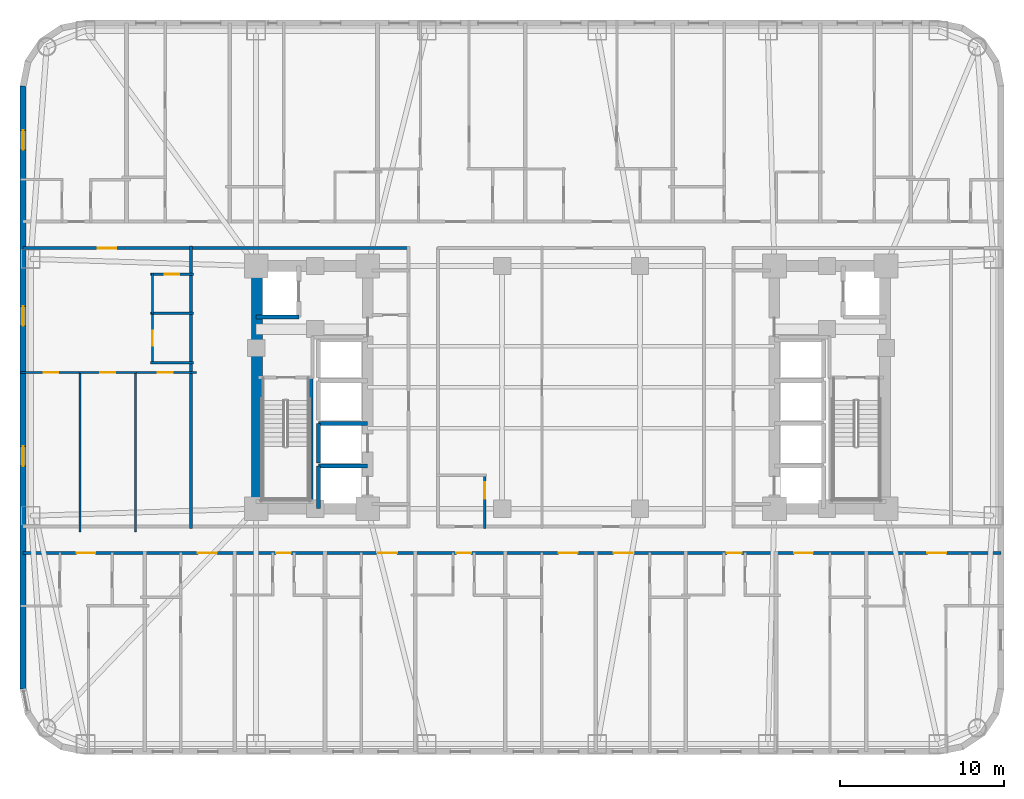
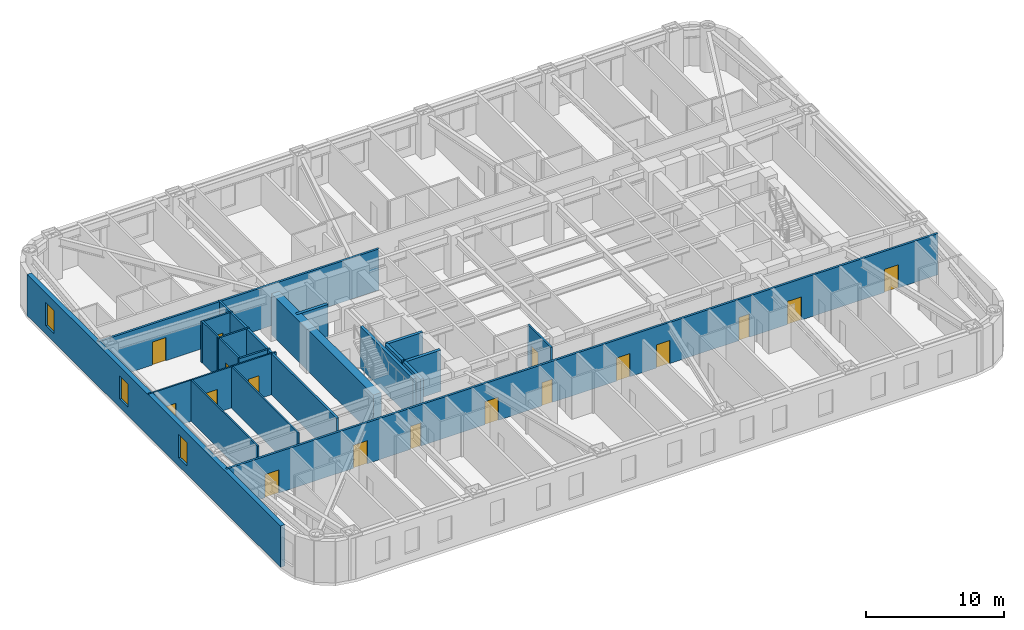
# One storey, part 4 of 11: 22 walls, 17 doors, 3 windows, 20 openings.
"""IFC4 building model written with IfcOpenShell, lengths in metres."""

from ifc_helpers import new_model, si_unit, direction, frame, frame_2d, origin, place, context, subcontext, project, spatial, rectangle, extrude, material, layer, layer_set, type_object, element, fill, save


model = new_model("IFC4")

# Units and contexts
model_context = context("Model", 3, precision=1e-05, world=origin(), true_north=direction((0.0, 1.0)))
body_context = subcontext(model_context, "Body", "Model", "MODEL_VIEW")
ifc_project = project(units=[si_unit("LENGTHUNIT", "METRE"), si_unit("AREAUNIT", "SQUARE_METRE"), si_unit("VOLUMEUNIT", "CUBIC_METRE"), si_unit("PLANEANGLEUNIT", "RADIAN"), si_unit("MASSUNIT", "GRAM", prefix="KILO")], contexts=[model_context])

# Site, building, storey
site_placement = place(None, origin())
site = spatial("IfcSite", under=ifc_project, at=site_placement, CompositionType="ELEMENT")
building_placement = place(site_placement, origin())
building = spatial("IfcBuilding", under=site, at=building_placement, Name="Voryun Gate Residences", CompositionType="ELEMENT")
storey_placement = place(building_placement, frame((0.0, 0.0, 33.800048828125)))
storey = spatial("IfcBuildingStorey", under=building, at=storey_placement, Name="L07", CompositionType="ELEMENT", Elevation=33.800048828125)

# Wall
ifc_material_1 = material(Name="Concrete C60/75", Category="concrete")
ifc_layer_1 = layer(ifc_material_1, 0.64990234375, Name="CW_CORE_650")
ifc_layer_set_1 = layer_set([ifc_layer_1], Name="Concrete C60/75")
wall_type_1 = type_object("IfcWallType", Name="CW_CORE_650", PredefinedType="SHEAR", material=ifc_layer_set_1)
wall_1_placement = place(storey_placement, frame((-19.14501953125, -7.39990234375, 0.0), z_axis=(0.0, 0.0, 1.0), x_axis=(0.0, 1.0, 0.0)))
element("IfcWall", 1, at=wall_1_placement, inside=storey, type_object=wall_type_1, Name="L07 Core shear wall CW-L07-WW", PredefinedType="SHEAR", context=body_context, shape_type="SweptSolid", body=[
    extrude(rectangle(XDim=14.7998046875, YDim=0.64990234375, at=frame_2d((7.39990234375, 0.0))), origin(), (0.0, 0.0, 1.0), 3.64990234375),
])

# Wall, opening, door
ifc_material_2 = material(Name="Gypsum acoustic fireboard")
ifc_layer_2 = layer(ifc_material_2, 0.179931640625, Name="W_CORR_RATED_180")
ifc_layer_set_2 = layer_set([ifc_layer_2], Name="Gypsum acoustic fireboard")
wall_type_2 = type_object("IfcWallType", Name="W_CORR_RATED_180", PredefinedType="PARTITIONING", material=ifc_layer_set_2)
wall_2_placement = place(storey_placement, frame((-33.409912109375, 8.489990234375, 0.0), z_axis=(0.0, 0.0, 1.0), x_axis=(1.0, 0.0, 0.0)))
wall_2 = element("IfcWall", 2, at=wall_2_placement, inside=storey, type_object=wall_type_2, Name="Partition wall WP-L07-CWING-WN", PredefinedType="PARTITIONING", context=body_context, shape_type="SweptSolid", body=[
    extrude(rectangle(XDim=23.530029296875, YDim=0.179931640625, at=frame_2d((11.76513671875, 0.0))), origin(), (0.0, 0.0, 1.0), 3.64990234375),
])
opening_1_placement = place(wall_2_placement, frame((4.540283203125, 0.0, 0.0)))
opening_1 = element("IfcOpeningElement", 3, at=opening_1_placement, cuts=wall_2, Name="Opening D-UNIT-1", PredefinedType="OPENING", context=body_context, shape_type="SweptSolid", body=[
    extrude(rectangle(XDim=1.14990234375, YDim=2.050048828125, at=frame_2d((0.574951171875, 1.02490234375))), frame((0.0, 0.099853515625, 0.0), z_axis=(0.0, -1.0, 0.0), x_axis=(1.0, 0.0, 0.0)), (0.0, 0.0, 1.0), 0.199951171875),
])
ifc_material_3 = material(Name="Armoured timber-clad fire door", Category="wood")
door_type_1 = type_object("IfcDoorType", Name="DR_UNIT_ENTRY_1150", OperationType="NOTDEFINED", PredefinedType="DOOR", material=ifc_material_3)
door_1_placement = place(opening_1_placement, origin())
door_1 = element("IfcDoor", 4, at=door_1_placement, inside=storey, type_object=door_type_1, Name="Door DR-L07-WE1N", OperationType="SINGLE_SWING_LEFT", OverallHeight=2.050048828125, OverallWidth=1.14990234375, PredefinedType="DOOR", context=body_context, shape_type="SweptSolid", body=[
    extrude(rectangle(XDim=1.14990234375, YDim=2.050048828125, at=frame_2d((0.574951171875, 1.02490234375))), frame((0.0, 0.02490234375, 0.0), z_axis=(0.0, -1.0, 0.0), x_axis=(1.0, 0.0, 0.0)), (0.0, 0.0, 1.0), 0.050048828125),
])
fill(opening_1, door_1)

# Wall, openings, doors
wall_3_placement = place(storey_placement, frame((-33.409912109375, -10.10009765625, 0.0), z_axis=(0.0, 0.0, 1.0), x_axis=(1.0, 0.0, 0.0)))
wall_3 = element("IfcWall", 5, at=wall_3_placement, inside=storey, type_object=wall_type_2, Name="Partition wall WP-L07-SCORR", PredefinedType="PARTITIONING", context=body_context, shape_type="SweptSolid", body=[
    extrude(rectangle(XDim=59.619873046875, YDim=0.179931640625, at=frame_2d((29.81005859375, 0.0))), origin(), (0.0, 0.0, 1.0), 3.64990234375),
])
opening_2_placement = place(wall_3_placement, frame((3.258544921875, 0.0, 0.0)))
opening_2 = element("IfcOpeningElement", 6, at=opening_2_placement, cuts=wall_3, Name="Opening D-UNIT-1", PredefinedType="OPENING", context=body_context, shape_type="SweptSolid", body=[
    extrude(rectangle(XDim=1.14990234375, YDim=2.050048828125, at=frame_2d((0.574951171875, 1.02490234375))), frame((0.0, 0.099853515625, 0.0), z_axis=(0.0, -1.0, 0.0), x_axis=(1.0, 0.0, 0.0)), (0.0, 0.0, 1.0), 0.199951171875),
])
opening_3_placement = place(wall_3_placement, frame((10.657470703125, 0.0, 0.0)))
opening_3 = element("IfcOpeningElement", 7, at=opening_3_placement, cuts=wall_3, Name="Opening D-UNIT-1", PredefinedType="OPENING", context=body_context, shape_type="SweptSolid", body=[
    extrude(rectangle(XDim=1.14990234375, YDim=2.050048828125, at=frame_2d((0.574951171875, 1.02490234375))), frame((0.0, 0.099853515625, 0.0), z_axis=(0.0, -1.0, 0.0), x_axis=(1.0, 0.0, 0.0)), (0.0, 0.0, 1.0), 0.199951171875),
])
opening_4_placement = place(wall_3_placement, frame((15.4208984375, 0.0, 0.0)))
opening_4 = element("IfcOpeningElement", 8, at=opening_4_placement, cuts=wall_3, Name="Opening D-INT-2", PredefinedType="OPENING", context=body_context, shape_type="SweptSolid", body=[
    extrude(rectangle(XDim=0.89990234375, YDim=2.050048828125, at=frame_2d((0.449951171875, 1.02490234375))), frame((0.0, 0.099853515625, 0.0), z_axis=(0.0, -1.0, 0.0), x_axis=(1.0, 0.0, 0.0)), (0.0, 0.0, 1.0), 0.199951171875),
])
opening_5_placement = place(wall_3_placement, frame((21.6572265625, 0.0, 0.0)))
opening_5 = element("IfcOpeningElement", 9, at=opening_5_placement, cuts=wall_3, Name="Opening D-UNIT-1", PredefinedType="OPENING", context=body_context, shape_type="SweptSolid", body=[
    extrude(rectangle(XDim=1.14990234375, YDim=2.050048828125, at=frame_2d((0.574951171875, 1.02490234375))), frame((0.0, 0.099853515625, 0.0), z_axis=(0.0, -1.0, 0.0), x_axis=(1.0, 0.0, 0.0)), (0.0, 0.0, 1.0), 0.199951171875),
])
opening_6_placement = place(wall_3_placement, frame((26.420654296875, 0.0, 0.0)))
opening_6 = element("IfcOpeningElement", 10, at=opening_6_placement, cuts=wall_3, Name="Opening D-INT-2", PredefinedType="OPENING", context=body_context, shape_type="SweptSolid", body=[
    extrude(rectangle(XDim=0.89990234375, YDim=2.050048828125, at=frame_2d((0.449951171875, 1.02490234375))), frame((0.0, 0.099853515625, 0.0), z_axis=(0.0, -1.0, 0.0), x_axis=(1.0, 0.0, 0.0)), (0.0, 0.0, 1.0), 0.199951171875),
])
opening_7_placement = place(wall_3_placement, frame((32.6572265625, 0.0, 0.0)))
opening_7 = element("IfcOpeningElement", 11, at=opening_7_placement, cuts=wall_3, Name="Opening D-UNIT-1", PredefinedType="OPENING", context=body_context, shape_type="SweptSolid", body=[
    extrude(rectangle(XDim=1.14990234375, YDim=2.050048828125, at=frame_2d((0.574951171875, 1.02490234375))), frame((0.0, 0.099853515625, 0.0), z_axis=(0.0, -1.0, 0.0), x_axis=(1.0, 0.0, 0.0)), (0.0, 0.0, 1.0), 0.199951171875),
])
opening_8_placement = place(wall_3_placement, frame((36.0078125, 0.0, 0.0)))
opening_8 = element("IfcOpeningElement", 12, at=opening_8_placement, cuts=wall_3, Name="Opening D-UNIT-1", PredefinedType="OPENING", context=body_context, shape_type="SweptSolid", body=[
    extrude(rectangle(XDim=1.14990234375, YDim=2.050048828125, at=frame_2d((0.574951171875, 1.02490234375))), frame((0.0, 0.099853515625, 0.0), z_axis=(0.0, -1.0, 0.0), x_axis=(1.0, 0.0, 0.0)), (0.0, 0.0, 1.0), 0.199951171875),
])
opening_9_placement = place(wall_3_placement, frame((42.91748046875, 0.0, 0.0)))
opening_9 = element("IfcOpeningElement", 13, at=opening_9_placement, cuts=wall_3, Name="Opening D-INT-2", PredefinedType="OPENING", context=body_context, shape_type="SweptSolid", body=[
    extrude(rectangle(XDim=0.89990234375, YDim=2.050048828125, at=frame_2d((0.449951171875, 1.02490234375))), frame((0.0, 0.099853515625, 0.0), z_axis=(0.0, -1.0, 0.0), x_axis=(1.0, 0.0, 0.0)), (0.0, 0.0, 1.0), 0.199951171875),
])
opening_10_placement = place(wall_3_placement, frame((47.0078125, 0.0, 0.0)))
opening_10 = element("IfcOpeningElement", 14, at=opening_10_placement, cuts=wall_3, Name="Opening D-UNIT-1", PredefinedType="OPENING", context=body_context, shape_type="SweptSolid", body=[
    extrude(rectangle(XDim=1.14990234375, YDim=2.050048828125, at=frame_2d((0.574951171875, 1.02490234375))), frame((0.0, 0.099853515625, 0.0), z_axis=(0.0, -1.0, 0.0), x_axis=(1.0, 0.0, 0.0)), (0.0, 0.0, 1.0), 0.199951171875),
])
opening_11_placement = place(wall_3_placement, frame((55.139892578125, 0.0, 0.0)))
opening_11 = element("IfcOpeningElement", 15, at=opening_11_placement, cuts=wall_3, Name="Opening D-UNIT-1", PredefinedType="OPENING", context=body_context, shape_type="SweptSolid", body=[
    extrude(rectangle(XDim=1.14990234375, YDim=2.050048828125, at=frame_2d((0.574951171875, 1.02490234375))), frame((0.0, 0.099853515625, 0.0), z_axis=(0.0, -1.0, 0.0), x_axis=(1.0, 0.0, 0.0)), (0.0, 0.0, 1.0), 0.199951171875),
])
ifc_material_4 = material(Name="Architectural oak veneer")
door_type_2 = type_object("IfcDoorType", Name="DR_INT_BATH_900", OperationType="NOTDEFINED", PredefinedType="DOOR", material=ifc_material_4)
door_2_placement = place(opening_4_placement, origin())
door_2 = element("IfcDoor", 16, at=door_2_placement, inside=storey, type_object=door_type_2, Name="Door DR-L07-SENT-3", OperationType="SINGLE_SWING_RIGHT", OverallHeight=2.050048828125, OverallWidth=0.89990234375, PredefinedType="DOOR", context=body_context, shape_type="SweptSolid", body=[
    extrude(rectangle(XDim=0.89990234375, YDim=2.050048828125, at=frame_2d((0.449951171875, 1.02490234375))), frame((0.0, 0.02490234375, 0.0), z_axis=(0.0, -1.0, 0.0), x_axis=(1.0, 0.0, 0.0)), (0.0, 0.0, 1.0), 0.050048828125),
])
fill(opening_4, door_2)
door_3_placement = place(opening_6_placement, origin())
door_3 = element("IfcDoor", 17, at=door_3_placement, inside=storey, type_object=door_type_2, Name="Door DR-L07-SENT-5", OperationType="SINGLE_SWING_RIGHT", OverallHeight=2.050048828125, OverallWidth=0.89990234375, PredefinedType="DOOR", context=body_context, shape_type="SweptSolid", body=[
    extrude(rectangle(XDim=0.89990234375, YDim=2.050048828125, at=frame_2d((0.449951171875, 1.02490234375))), frame((0.0, 0.02490234375, 0.0), z_axis=(0.0, -1.0, 0.0), x_axis=(1.0, 0.0, 0.0)), (0.0, 0.0, 1.0), 0.050048828125),
])
fill(opening_6, door_3)
door_4_placement = place(opening_9_placement, origin())
door_4 = element("IfcDoor", 18, at=door_4_placement, inside=storey, type_object=door_type_2, Name="Door DR-L07-SENT-8", OperationType="SINGLE_SWING_LEFT", OverallHeight=2.050048828125, OverallWidth=0.89990234375, PredefinedType="DOOR", context=body_context, shape_type="SweptSolid", body=[
    extrude(rectangle(XDim=0.89990234375, YDim=2.050048828125, at=frame_2d((0.449951171875, 1.02490234375))), frame((0.0, 0.02490234375, 0.0), z_axis=(0.0, -1.0, 0.0), x_axis=(1.0, 0.0, 0.0)), (0.0, 0.0, 1.0), 0.050048828125),
])
fill(opening_9, door_4)
door_5_placement = place(opening_2_placement, origin())
door_5 = element("IfcDoor", 19, at=door_5_placement, inside=storey, type_object=door_type_1, Name="Door DR-L07-SENT-1", OperationType="SINGLE_SWING_RIGHT", OverallHeight=2.050048828125, OverallWidth=1.14990234375, PredefinedType="DOOR", context=body_context, shape_type="SweptSolid", body=[
    extrude(rectangle(XDim=1.14990234375, YDim=2.050048828125, at=frame_2d((0.574951171875, 1.02490234375))), frame((0.0, 0.02490234375, 0.0), z_axis=(0.0, -1.0, 0.0), x_axis=(1.0, 0.0, 0.0)), (0.0, 0.0, 1.0), 0.050048828125),
])
fill(opening_2, door_5)
door_6_placement = place(opening_3_placement, origin())
door_6 = element("IfcDoor", 20, at=door_6_placement, inside=storey, type_object=door_type_1, Name="Door DR-L07-SENT-2", OperationType="SINGLE_SWING_LEFT", OverallHeight=2.050048828125, OverallWidth=1.14990234375, PredefinedType="DOOR", context=body_context, shape_type="SweptSolid", body=[
    extrude(rectangle(XDim=1.14990234375, YDim=2.050048828125, at=frame_2d((0.574951171875, 1.02490234375))), frame((0.0, 0.02490234375, 0.0), z_axis=(0.0, -1.0, 0.0), x_axis=(1.0, 0.0, 0.0)), (0.0, 0.0, 1.0), 0.050048828125),
])
fill(opening_3, door_6)
door_7_placement = place(opening_5_placement, origin())
door_7 = element("IfcDoor", 21, at=door_7_placement, inside=storey, type_object=door_type_1, Name="Door DR-L07-SENT-4", OperationType="SINGLE_SWING_LEFT", OverallHeight=2.050048828125, OverallWidth=1.14990234375, PredefinedType="DOOR", context=body_context, shape_type="SweptSolid", body=[
    extrude(rectangle(XDim=1.14990234375, YDim=2.050048828125, at=frame_2d((0.574951171875, 1.02490234375))), frame((0.0, 0.02490234375, 0.0), z_axis=(0.0, -1.0, 0.0), x_axis=(1.0, 0.0, 0.0)), (0.0, 0.0, 1.0), 0.050048828125),
])
fill(opening_5, door_7)
door_8_placement = place(opening_7_placement, origin())
door_8 = element("IfcDoor", 22, at=door_8_placement, inside=storey, type_object=door_type_1, Name="Door DR-L07-SENT-6", OperationType="SINGLE_SWING_LEFT", OverallHeight=2.050048828125, OverallWidth=1.14990234375, PredefinedType="DOOR", context=body_context, shape_type="SweptSolid", body=[
    extrude(rectangle(XDim=1.14990234375, YDim=2.050048828125, at=frame_2d((0.574951171875, 1.02490234375))), frame((0.0, 0.02490234375, 0.0), z_axis=(0.0, -1.0, 0.0), x_axis=(1.0, 0.0, 0.0)), (0.0, 0.0, 1.0), 0.050048828125),
])
fill(opening_7, door_8)
door_9_placement = place(opening_8_placement, origin())
door_9 = element("IfcDoor", 23, at=door_9_placement, inside=storey, type_object=door_type_1, Name="Door DR-L07-SENT-7", OperationType="SINGLE_SWING_RIGHT", OverallHeight=2.050048828125, OverallWidth=1.14990234375, PredefinedType="DOOR", context=body_context, shape_type="SweptSolid", body=[
    extrude(rectangle(XDim=1.14990234375, YDim=2.050048828125, at=frame_2d((0.574951171875, 1.02490234375))), frame((0.0, 0.02490234375, 0.0), z_axis=(0.0, -1.0, 0.0), x_axis=(1.0, 0.0, 0.0)), (0.0, 0.0, 1.0), 0.050048828125),
])
fill(opening_8, door_9)
door_10_placement = place(opening_10_placement, origin())
door_10 = element("IfcDoor", 24, at=door_10_placement, inside=storey, type_object=door_type_1, Name="Door DR-L07-SENT-9", OperationType="SINGLE_SWING_RIGHT", OverallHeight=2.050048828125, OverallWidth=1.14990234375, PredefinedType="DOOR", context=body_context, shape_type="SweptSolid", body=[
    extrude(rectangle(XDim=1.14990234375, YDim=2.050048828125, at=frame_2d((0.574951171875, 1.02490234375))), frame((0.0, 0.02490234375, 0.0), z_axis=(0.0, -1.0, 0.0), x_axis=(1.0, 0.0, 0.0)), (0.0, 0.0, 1.0), 0.050048828125),
])
fill(opening_10, door_10)
door_11_placement = place(opening_11_placement, origin())
door_11 = element("IfcDoor", 25, at=door_11_placement, inside=storey, type_object=door_type_1, Name="Door DR-L07-SENT-10", OperationType="SINGLE_SWING_LEFT", OverallHeight=2.050048828125, OverallWidth=1.14990234375, PredefinedType="DOOR", context=body_context, shape_type="SweptSolid", body=[
    extrude(rectangle(XDim=1.14990234375, YDim=2.050048828125, at=frame_2d((0.574951171875, 1.02490234375))), frame((0.0, 0.02490234375, 0.0), z_axis=(0.0, -1.0, 0.0), x_axis=(1.0, 0.0, 0.0)), (0.0, 0.0, 1.0), 0.050048828125),
])
fill(opening_11, door_11)

# Wall
wall_4_placement = place(storey_placement, frame((-23.169921875, -8.610107421875, 0.0), z_axis=(0.0, 0.0, 1.0), x_axis=(0.0, 1.0, 0.0)))
element("IfcWall", 26, at=wall_4_placement, inside=storey, type_object=wall_type_2, Name="Partition wall WP-L07-WCOR", PredefinedType="PARTITIONING", context=body_context, shape_type="SweptSolid", body=[
    extrude(rectangle(XDim=17.22021484375, YDim=0.179931640625, at=frame_2d((8.610107421875, 0.0))), origin(), (0.0, 0.0, 1.0), 3.64990234375),
])

# Wall, openings, windows
ifc_material_5 = material(Name="Granite masonry", Category="masonry")
ifc_layer_3 = layer(ifc_material_5, 0.3798828125, Name="W_EXT_GRANITE_380")
ifc_layer_set_3 = layer_set([ifc_layer_3], Name="Granite masonry")
wall_type_3 = type_object("IfcWallType", Name="W_EXT_GRANITE_380", PredefinedType="ELEMENTEDWALL", material=ifc_layer_set_3)
wall_5_placement = place(storey_placement, frame((-33.409912109375, -18.38134765625, 0.0), z_axis=(0.0, 0.0, 1.0), x_axis=(0.0, 1.0, 0.0)))
wall_5 = element("IfcWall", 27, at=wall_5_placement, inside=storey, type_object=wall_type_3, Name="Exterior wall WEXT-L07-06", PredefinedType="ELEMENTEDWALL", context=body_context, shape_type="SweptSolid", body=[
    extrude(rectangle(XDim=36.7626953125, YDim=0.3798828125, at=frame_2d((18.38134765625, 0.0))), origin(), (0.0, 0.0, 1.0), 3.64990234375),
])
opening_12_placement = place(wall_5_placement, frame((32.85693359375, 0.0, 0.75)))
opening_12 = element("IfcOpeningElement", 28, at=opening_12_placement, cuts=wall_5, Name="Opening WN6", PredefinedType="OPENING", context=body_context, shape_type="SweptSolid", body=[
    extrude(rectangle(XDim=1.199951171875, YDim=2.050048828125, at=frame_2d((0.60009765625, 1.02490234375))), frame((0.0, 0.199951171875, 0.0), z_axis=(0.0, -1.0, 0.0), x_axis=(1.0, 0.0, 0.0)), (0.0, 0.0, 1.0), 0.39990234375),
])
opening_13_placement = place(wall_5_placement, frame((22.126220703125, 0.0, 0.75)))
opening_13 = element("IfcOpeningElement", 29, at=opening_13_placement, cuts=wall_5, Name="Opening WN6", PredefinedType="OPENING", context=body_context, shape_type="SweptSolid", body=[
    extrude(rectangle(XDim=1.199951171875, YDim=2.050048828125, at=frame_2d((0.60009765625, 1.02490234375))), frame((0.0, 0.199951171875, 0.0), z_axis=(0.0, -1.0, 0.0), x_axis=(1.0, 0.0, 0.0)), (0.0, 0.0, 1.0), 0.39990234375),
])
opening_14_placement = place(wall_5_placement, frame((13.576416015625, 0.0, 0.75)))
opening_14 = element("IfcOpeningElement", 30, at=opening_14_placement, cuts=wall_5, Name="Opening WN6", PredefinedType="OPENING", context=body_context, shape_type="SweptSolid", body=[
    extrude(rectangle(XDim=1.199951171875, YDim=2.050048828125, at=frame_2d((0.60009765625, 1.02490234375))), frame((0.0, 0.199951171875, 0.0), z_axis=(0.0, -1.0, 0.0), x_axis=(1.0, 0.0, 0.0)), (0.0, 0.0, 1.0), 0.39990234375),
])
ifc_material_6 = material(Name="Laminated low-E glass", Category="glass")
window_type = type_object("IfcWindowType", Name="WN_POD_SLOT_1200", PartitioningType="SINGLE_PANEL", PredefinedType="WINDOW", material=ifc_material_6)
window_1_placement = place(opening_12_placement, origin())
window_1 = element("IfcWindow", 31, at=window_1_placement, inside=storey, type_object=window_type, Name="Window WN-L07-DWFIX-01", OverallHeight=2.050048828125, OverallWidth=1.199951171875, PartitioningType="SINGLE_PANEL", PredefinedType="WINDOW", context=body_context, shape_type="SweptSolid", body=[
    extrude(rectangle(XDim=1.199951171875, YDim=2.050048828125, at=frame_2d((0.60009765625, 1.02490234375))), frame((0.0, 0.030029296875, 0.0), z_axis=(0.0, -1.0, 0.0), x_axis=(1.0, 0.0, 0.0)), (0.0, 0.0, 1.0), 0.06005859375),
])
fill(opening_12, window_1)
window_2_placement = place(opening_13_placement, origin())
window_2 = element("IfcWindow", 32, at=window_2_placement, inside=storey, type_object=window_type, Name="Window WN-L07-DWFIX-31", OverallHeight=2.050048828125, OverallWidth=1.199951171875, PartitioningType="SINGLE_PANEL", PredefinedType="WINDOW", context=body_context, shape_type="SweptSolid", body=[
    extrude(rectangle(XDim=1.199951171875, YDim=2.050048828125, at=frame_2d((0.60009765625, 1.02490234375))), frame((0.0, 0.030029296875, 0.0), z_axis=(0.0, -1.0, 0.0), x_axis=(1.0, 0.0, 0.0)), (0.0, 0.0, 1.0), 0.06005859375),
])
fill(opening_13, window_2)
window_3_placement = place(opening_14_placement, origin())
window_3 = element("IfcWindow", 33, at=window_3_placement, inside=storey, type_object=window_type, Name="Window WN-L07-DWFIX-32", OverallHeight=2.050048828125, OverallWidth=1.199951171875, PartitioningType="SINGLE_PANEL", PredefinedType="WINDOW", context=body_context, shape_type="SweptSolid", body=[
    extrude(rectangle(XDim=1.199951171875, YDim=2.050048828125, at=frame_2d((0.60009765625, 1.02490234375))), frame((0.0, 0.030029296875, 0.0), z_axis=(0.0, -1.0, 0.0), x_axis=(1.0, 0.0, 0.0)), (0.0, 0.0, 1.0), 0.06005859375),
])
fill(opening_14, window_3)

# Walls
ifc_material_7 = material(Name="Concrete C50/60", Category="concrete")
ifc_layer_4 = layer(ifc_material_7, 0.25, Name="W_SHAFT_RC250")
ifc_layer_set_4 = layer_set([ifc_layer_4], Name="Concrete C50/60")
wall_type_4 = type_object("IfcWallType", Name="W_SHAFT_RC250", PredefinedType="SOLIDWALL", material=ifc_layer_set_4)
wall_6_placement = place(storey_placement, frame((-15.860107421875, -7.0849609375, 0.0), z_axis=(0.0, 0.0, 1.0), x_axis=(0.0, 1.0, 0.0)))
element("IfcWall", 34, at=wall_6_placement, inside=storey, type_object=wall_type_4, Name="L07 Stair shaft structural wall W-STR", PredefinedType="SOLIDWALL", context=body_context, shape_type="SweptSolid", body=[
    extrude(rectangle(XDim=7.68505859375, YDim=0.25, at=frame_2d((3.842529296875, 0.0))), origin(), (0.0, 0.0, 1.0), 3.64990234375),
])
wall_7_placement = place(storey_placement, frame((-19.199951171875, 4.300048828125, 0.0), z_axis=(0.0, 0.0, 1.0), x_axis=(1.0, 0.0, 0.0)))
element("IfcWall", 35, at=wall_7_placement, inside=storey, type_object=wall_type_4, Name="Lift shaft wall WSH-L07-EL-FF-W1-S", PredefinedType="SOLIDWALL", context=body_context, shape_type="SweptSolid", body=[
    extrude(rectangle(XDim=2.599853515625, YDim=0.25, at=frame_2d((1.2998046875, 0.0))), origin(), (0.0, 0.0, 1.0), 3.64990234375),
])
wall_8_placement = place(storey_placement, frame((-12.39990234375, -4.800048828125, 0.0), z_axis=(0.0, 0.0, 1.0), x_axis=(-1.0, 0.0, 0.0)))
element("IfcWall", 36, at=wall_8_placement, inside=storey, type_object=wall_type_4, Name="Lift shaft wall WSH-L07-EL-P1-N", PredefinedType="SOLIDWALL", context=body_context, shape_type="SweptSolid", body=[
    extrude(rectangle(XDim=3.0, YDim=0.25, at=frame_2d((1.5, 0.0))), origin(), (0.0, 0.0, 1.0), 3.64990234375),
])
wall_9_placement = place(storey_placement, frame((-15.39990234375, -4.800048828125, 0.0), z_axis=(0.0, 0.0, 1.0), x_axis=(0.0, -1.0, 0.0)))
element("IfcWall", 37, at=wall_9_placement, inside=storey, type_object=wall_type_4, Name="Lift shaft wall WSH-L07-EL-P1-W", PredefinedType="SOLIDWALL", context=body_context, shape_type="SweptSolid", body=[
    extrude(rectangle(XDim=2.599853515625, YDim=0.25, at=frame_2d((1.2998046875, 0.0))), origin(), (0.0, 0.0, 1.0), 3.64990234375),
])
wall_10_placement = place(storey_placement, frame((-12.39990234375, -2.199951171875, 0.0), z_axis=(0.0, 0.0, 1.0), x_axis=(-1.0, 0.0, 0.0)))
element("IfcWall", 38, at=wall_10_placement, inside=storey, type_object=wall_type_4, Name="Lift shaft wall WSH-L07-EL-P2-N", PredefinedType="SOLIDWALL", context=body_context, shape_type="SweptSolid", body=[
    extrude(rectangle(XDim=3.0, YDim=0.25, at=frame_2d((1.5, 0.0))), origin(), (0.0, 0.0, 1.0), 3.64990234375),
])
wall_11_placement = place(storey_placement, frame((-15.39990234375, -2.199951171875, 0.0), z_axis=(0.0, 0.0, 1.0), x_axis=(0.0, -1.0, 0.0)))
element("IfcWall", 39, at=wall_11_placement, inside=storey, type_object=wall_type_4, Name="Lift shaft wall WSH-L07-EL-P2-W", PredefinedType="SOLIDWALL", context=body_context, shape_type="SweptSolid", body=[
    extrude(rectangle(XDim=2.400146484375, YDim=0.25, at=frame_2d((1.2001953125, 0.0))), origin(), (0.0, 0.0, 1.0), 3.64990234375),
])

# Wall, opening, door
ifc_material_8 = material(Name="Gypsum acoustic partition")
ifc_layer_5 = layer(ifc_material_8, 0.125, Name="W_UNIT_PART_125")
ifc_layer_set_5 = layer_set([ifc_layer_5], Name="Gypsum acoustic partition")
wall_type_5 = type_object("IfcWallType", Name="W_UNIT_PART_125", PredefinedType="PARTITIONING", material=ifc_layer_set_5)
wall_12_placement = place(storey_placement, frame((-33.56005859375, 0.909912109375, 0.0), z_axis=(0.0, 0.0, 1.0), x_axis=(1.0, 0.0, 0.0)))
wall_12 = element("IfcWall", 40, at=wall_12_placement, inside=storey, type_object=wall_type_5, Name="Partition wall WP-L07-W1-HZMB1", PredefinedType="PARTITIONING", context=body_context, shape_type="SweptSolid", body=[
    extrude(rectangle(XDim=3.689453125, YDim=0.125, at=frame_2d((1.8447265625, 0.0))), origin(), (0.0, 0.0, 1.0), 3.64990234375),
])
opening_15_placement = place(wall_12_placement, frame((1.403564453125, 0.0, 0.0)))
opening_15 = element("IfcOpeningElement", 41, at=opening_15_placement, cuts=wall_12, Name="Opening D-INT-2", PredefinedType="OPENING", context=body_context, shape_type="SweptSolid", body=[
    extrude(rectangle(XDim=0.89990234375, YDim=2.050048828125, at=frame_2d((0.449951171875, 1.02490234375))), frame((0.0, 0.072509765625, 0.0), z_axis=(0.0, -1.0, 0.0), x_axis=(1.0, 0.0, 0.0)), (0.0, 0.0, 1.0), 0.14501953125),
])
door_12_placement = place(opening_15_placement, origin())
door_12 = element("IfcDoor", 42, at=door_12_placement, inside=storey, type_object=door_type_2, Name="Door DR-L07-W1-DMB", OperationType="SINGLE_SWING_LEFT", OverallHeight=2.050048828125, OverallWidth=0.89990234375, PredefinedType="DOOR", context=body_context, shape_type="SweptSolid", body=[
    extrude(rectangle(XDim=0.89990234375, YDim=2.050048828125, at=frame_2d((0.449951171875, 1.02490234375))), frame((0.0, 0.02490234375, 0.0), z_axis=(0.0, -1.0, 0.0), x_axis=(1.0, 0.0, 0.0)), (0.0, 0.0, 1.0), 0.050048828125),
])
fill(opening_15, door_12)

wall_13_placement = place(storey_placement, frame((-29.99560546875, 0.909912109375, 0.0), z_axis=(0.0, 0.0, 1.0), x_axis=(1.0, 0.0, 0.0)))
wall_13 = element("IfcWall", 43, at=wall_13_placement, inside=storey, type_object=wall_type_5, Name="Partition wall WP-L07-W1-HZMB2", PredefinedType="PARTITIONING", context=body_context, shape_type="SweptSolid", body=[
    extrude(rectangle(XDim=3.506103515625, YDim=0.125, at=frame_2d((1.7529296875, 0.0))), origin(), (0.0, 0.0, 1.0), 3.64990234375),
])
opening_16_placement = place(wall_13_placement, frame((1.302978515625, 0.0, 0.0)))
opening_16 = element("IfcOpeningElement", 44, at=opening_16_placement, cuts=wall_13, Name="Opening D-INT-2", PredefinedType="OPENING", context=body_context, shape_type="SweptSolid", body=[
    extrude(rectangle(XDim=0.89990234375, YDim=2.050048828125, at=frame_2d((0.449951171875, 1.02490234375))), frame((0.0, 0.072509765625, 0.0), z_axis=(0.0, -1.0, 0.0), x_axis=(1.0, 0.0, 0.0)), (0.0, 0.0, 1.0), 0.14501953125),
])
door_13_placement = place(opening_16_placement, origin())
door_13 = element("IfcDoor", 45, at=door_13_placement, inside=storey, type_object=door_type_2, Name="Door DR-L07-W1-DBD2", OperationType="SINGLE_SWING_RIGHT", OverallHeight=2.050048828125, OverallWidth=0.89990234375, PredefinedType="DOOR", context=body_context, shape_type="SweptSolid", body=[
    extrude(rectangle(XDim=0.89990234375, YDim=2.050048828125, at=frame_2d((0.449951171875, 1.02490234375))), frame((0.0, 0.02490234375, 0.0), z_axis=(0.0, -1.0, 0.0), x_axis=(1.0, 0.0, 0.0)), (0.0, 0.0, 1.0), 0.050048828125),
])
fill(opening_16, door_13)

wall_14_placement = place(storey_placement, frame((-26.614501953125, 0.909912109375, 0.0), z_axis=(0.0, 0.0, 1.0), x_axis=(1.0, 0.0, 0.0)))
wall_14 = element("IfcWall", 46, at=wall_14_placement, inside=storey, type_object=wall_type_5, Name="Partition wall WP-L07-W1-HZMB3", PredefinedType="PARTITIONING", context=body_context, shape_type="SweptSolid", body=[
    extrude(rectangle(XDim=3.764404296875, YDim=0.125, at=frame_2d((1.88232421875, 0.0))), origin(), (0.0, 0.0, 1.0), 3.64990234375),
])
opening_17_placement = place(wall_14_placement, frame((1.423583984375, 0.0, 0.0)))
opening_17 = element("IfcOpeningElement", 47, at=opening_17_placement, cuts=wall_14, Name="Opening D-INT-2", PredefinedType="OPENING", context=body_context, shape_type="SweptSolid", body=[
    extrude(rectangle(XDim=0.89990234375, YDim=2.050048828125, at=frame_2d((0.449951171875, 1.02490234375))), frame((0.0, 0.072509765625, 0.0), z_axis=(0.0, -1.0, 0.0), x_axis=(1.0, 0.0, 0.0)), (0.0, 0.0, 1.0), 0.14501953125),
])
door_14_placement = place(opening_17_placement, origin())
door_14 = element("IfcDoor", 48, at=door_14_placement, inside=storey, type_object=door_type_2, Name="Door DR-L07-W1-DBD3", OperationType="SINGLE_SWING_LEFT", OverallHeight=2.050048828125, OverallWidth=0.89990234375, PredefinedType="DOOR", context=body_context, shape_type="SweptSolid", body=[
    extrude(rectangle(XDim=0.89990234375, YDim=2.050048828125, at=frame_2d((0.449951171875, 1.02490234375))), frame((0.0, 0.02490234375, 0.0), z_axis=(0.0, -1.0, 0.0), x_axis=(1.0, 0.0, 0.0)), (0.0, 0.0, 1.0), 0.050048828125),
])
fill(opening_17, door_14)

# Walls
for number, where, z_axis, x_axis, name in (
    (49, (-26.552001953125, -8.81005859375, 0.0), (0.0, 0.0, 1.0), (0.0, 1.0, 0.0), "Partition wall WP-L07-W1-VMB2"),
    (50, (-29.93310546875, -8.81005859375, 0.0), (0.0, 0.0, 1.0), (0.0, 1.0, 0.0), "Partition wall WP-L07-W1-VMB"),
):
    element("IfcWall", number, at=place(storey_placement, frame(where, z_axis=z_axis, x_axis=x_axis)), inside=storey, type_object=wall_type_5, Name=name, PredefinedType="PARTITIONING", context=body_context, shape_type="SweptSolid", body=[
        extrude(rectangle(XDim=9.780029296875, YDim=0.125, at=frame_2d((4.89013671875, 0.0))), origin(), (0.0, 0.0, 1.0), 3.64990234375),
    ])

# Wall, opening, door
ifc_material_9 = material(Name="Gypsum moisture-resistant partition")
ifc_layer_6 = layer(ifc_material_9, 0.14990234375, Name="W_WET_PLUMB_150")
ifc_layer_set_6 = layer_set([ifc_layer_6], Name="Gypsum moisture-resistant partition")
wall_type_6 = type_object("IfcWallType", Name="W_WET_PLUMB_150", PredefinedType="PLUMBINGWALL", material=ifc_layer_set_6)
wall_15_placement = place(storey_placement, frame((-5.260009765625, -8.6201171875, 0.0), z_axis=(0.0, 0.0, 1.0), x_axis=(0.0, 1.0, 0.0)))
wall_15 = element("IfcWall", 51, at=wall_15_placement, inside=storey, type_object=wall_type_6, Name="Partition wall WP-L07-CMWCX", PredefinedType="PLUMBINGWALL", context=body_context, shape_type="SweptSolid", body=[
    extrude(rectangle(XDim=3.35009765625, YDim=0.14990234375, at=frame_2d((1.675048828125, 0.0))), origin(), (0.0, 0.0, 1.0), 3.64990234375),
])
opening_18_placement = place(wall_15_placement, frame((1.8349609375, 0.0, 0.0)))
opening_18 = element("IfcOpeningElement", 52, at=opening_18_placement, cuts=wall_15, Name="Opening D-AWC-1", PredefinedType="OPENING", context=body_context, shape_type="SweptSolid", body=[
    extrude(rectangle(XDim=1.0, YDim=2.050048828125, at=frame_2d((0.5, 1.02490234375))), frame((0.0, 0.0849609375, 0.0), z_axis=(0.0, -1.0, 0.0), x_axis=(1.0, 0.0, 0.0)), (0.0, 0.0, 1.0), 0.169921875),
])
ifc_material_10 = material(Name="Architectural oak veneer")
door_type_3 = type_object("IfcDoorType", Name="DR_ACC_WC_1000", OperationType="NOTDEFINED", PredefinedType="DOOR", material=ifc_material_10)
door_15_placement = place(opening_18_placement, origin())
door_15 = element("IfcDoor", 53, at=door_15_placement, inside=storey, type_object=door_type_3, Name="Door DR-L07-CMWC", OperationType="SINGLE_SWING_LEFT", OverallHeight=2.050048828125, OverallWidth=1.0, PredefinedType="DOOR", context=body_context, shape_type="SweptSolid", body=[
    extrude(rectangle(XDim=1.0, YDim=2.050048828125, at=frame_2d((0.5, 1.02490234375))), frame((0.0, 0.02490234375, 0.0), z_axis=(0.0, -1.0, 0.0), x_axis=(1.0, 0.0, 0.0)), (0.0, 0.0, 1.0), 0.050048828125),
])
fill(opening_18, door_15)

wall_16_placement = place(storey_placement, frame((-25.639892578125, 6.89990234375, 0.0), z_axis=(0.0, 0.0, 1.0), x_axis=(1.0, 0.0, 0.0)))
wall_16 = element("IfcWall", 54, at=wall_16_placement, inside=storey, type_object=wall_type_6, Name="Partition wall WP-L07-W1-IBT", PredefinedType="PLUMBINGWALL", context=body_context, shape_type="SweptSolid", body=[
    extrude(rectangle(XDim=2.619873046875, YDim=0.14990234375, at=frame_2d((1.31005859375, 0.0))), origin(), (0.0, 0.0, 1.0), 3.64990234375),
])
opening_19_placement = place(wall_16_placement, frame((0.860107421875, 0.0, 0.0)))
opening_19 = element("IfcOpeningElement", 55, at=opening_19_placement, cuts=wall_16, Name="Opening D-INT-2", PredefinedType="OPENING", context=body_context, shape_type="SweptSolid", body=[
    extrude(rectangle(XDim=0.89990234375, YDim=2.050048828125, at=frame_2d((0.449951171875, 1.02490234375))), frame((0.0, 0.0849609375, 0.0), z_axis=(0.0, -1.0, 0.0), x_axis=(1.0, 0.0, 0.0)), (0.0, 0.0, 1.0), 0.169921875),
])
door_16_placement = place(opening_19_placement, origin())
door_16 = element("IfcDoor", 56, at=door_16_placement, inside=storey, type_object=door_type_2, Name="Door DR-L07-W1-DK", OperationType="SINGLE_SWING_LEFT", OverallHeight=2.050048828125, OverallWidth=0.89990234375, PredefinedType="DOOR", context=body_context, shape_type="SweptSolid", body=[
    extrude(rectangle(XDim=0.89990234375, YDim=2.050048828125, at=frame_2d((0.449951171875, 1.02490234375))), frame((0.0, 0.02490234375, 0.0), z_axis=(0.0, -1.0, 0.0), x_axis=(1.0, 0.0, 0.0)), (0.0, 0.0, 1.0), 0.050048828125),
])
fill(opening_19, door_16)

# Walls
for number, where, z_axis, x_axis, name in (
    (57, (-25.639892578125, 4.52001953125, 0.0), (0.0, 0.0, 1.0), (1.0, 0.0, 0.0), "Partition wall WP-L07-W1-IKB"),
    (58, (-25.639892578125, 1.5, 0.0), (0.0, 0.0, 1.0), (1.0, 0.0, 0.0), "Partition wall WP-L07-W1-IBB"),
):
    element("IfcWall", number, at=place(storey_placement, frame(where, z_axis=z_axis, x_axis=x_axis)), inside=storey, type_object=wall_type_6, Name=name, PredefinedType="PLUMBINGWALL", context=body_context, shape_type="SweptSolid", body=[
        extrude(rectangle(XDim=2.619873046875, YDim=0.14990234375, at=frame_2d((1.31005859375, 0.0))), origin(), (0.0, 0.0, 1.0), 3.64990234375),
    ])

# Wall, opening, door
wall_17_placement = place(storey_placement, frame((-25.52001953125, 1.43994140625, 0.0), z_axis=(0.0, 0.0, 1.0), x_axis=(0.0, 1.0, 0.0)))
wall_17 = element("IfcWall", 59, at=wall_17_placement, inside=storey, type_object=wall_type_6, Name="Partition wall WP-L07-W1-VTSK1", PredefinedType="PLUMBINGWALL", context=body_context, shape_type="SweptSolid", body=[
    extrude(rectangle(XDim=3.1201171875, YDim=0.14990234375, at=frame_2d((1.56005859375, 0.0))), origin(), (0.0, 0.0, 1.0), 3.64990234375),
])
opening_20_placement = place(wall_17_placement, frame((1.110107421875, 0.0, 0.0)))
opening_20 = element("IfcOpeningElement", 60, at=opening_20_placement, cuts=wall_17, Name="Opening D-INT-2", PredefinedType="OPENING", context=body_context, shape_type="SweptSolid", body=[
    extrude(rectangle(XDim=0.89990234375, YDim=2.050048828125, at=frame_2d((0.449951171875, 1.02490234375))), frame((0.0, 0.0849609375, 0.0), z_axis=(0.0, -1.0, 0.0), x_axis=(1.0, 0.0, 0.0)), (0.0, 0.0, 1.0), 0.169921875),
])
door_17_placement = place(opening_20_placement, origin())
door_17 = element("IfcDoor", 61, at=door_17_placement, inside=storey, type_object=door_type_2, Name="Door DR-L07-W1-DB", OperationType="SINGLE_SWING_RIGHT", OverallHeight=2.050048828125, OverallWidth=0.89990234375, PredefinedType="DOOR", context=body_context, shape_type="SweptSolid", body=[
    extrude(rectangle(XDim=0.89990234375, YDim=2.050048828125, at=frame_2d((0.449951171875, 1.02490234375))), frame((0.0, 0.02490234375, 0.0), z_axis=(0.0, -1.0, 0.0), x_axis=(1.0, 0.0, 0.0)), (0.0, 0.0, 1.0), 0.050048828125),
])
fill(opening_20, door_17)

# Wall
wall_18_placement = place(storey_placement, frame((-25.52001953125, 4.47998046875, 0.0), z_axis=(0.0, 0.0, 1.0), x_axis=(0.0, 1.0, 0.0)))
element("IfcWall", 62, at=wall_18_placement, inside=storey, type_object=wall_type_6, Name="Partition wall WP-L07-W1-VTSK2", PredefinedType="PLUMBINGWALL", context=body_context, shape_type="SweptSolid", body=[
    extrude(rectangle(XDim=2.47998046875, YDim=0.14990234375, at=frame_2d((1.239990234375, 0.0))), origin(), (0.0, 0.0, 1.0), 3.64990234375),
])

save(model, "model.ifc")
